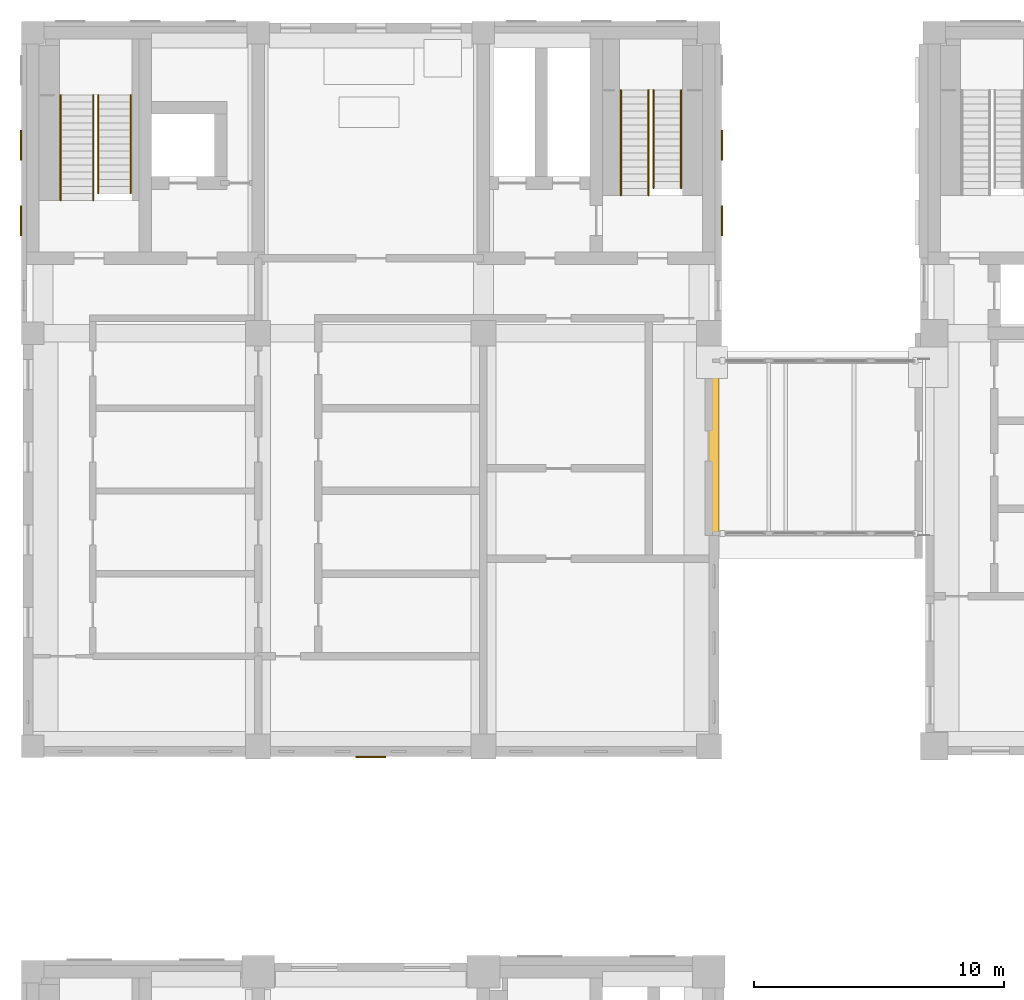
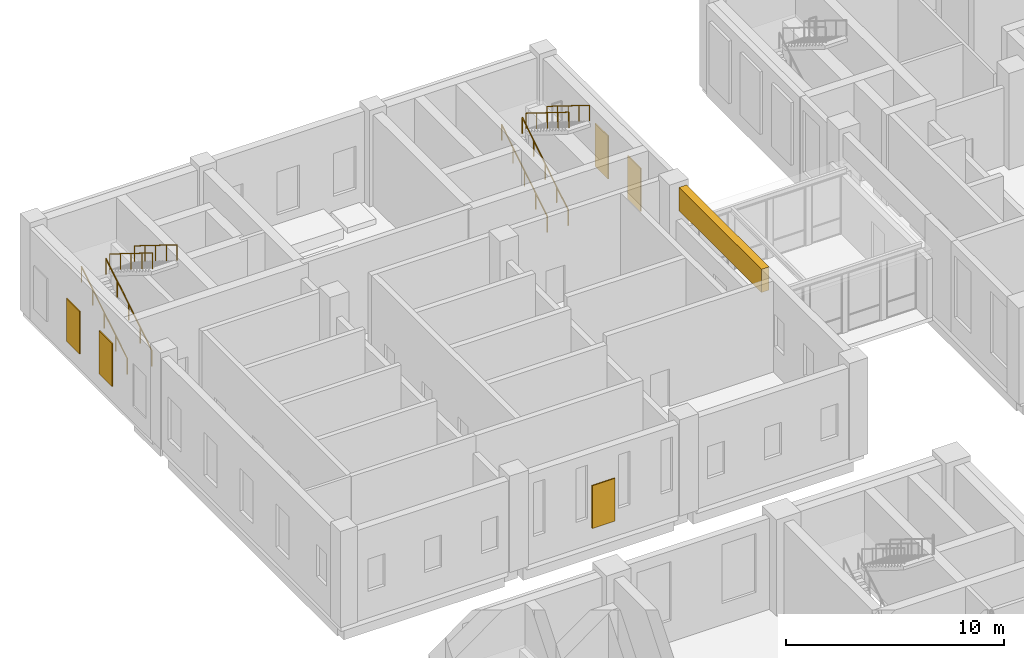
# One storey, part 45 of 52: 8 railings, 6 coverings.
"""IFC4 building model written with IfcOpenShell, lengths in metres."""

from ifc_helpers import new_model, si_unit, direction, frame, origin, origin_2d, place, context, subcontext, project, spatial, rectangle, circle, extrude, material, layer, layer_set, type_object, element, save


model = new_model("IFC4")

# Units and contexts
model_context = context("Model", 3, precision=1e-05, world=origin(), true_north=direction((0.0, 1.0)))
body_context = subcontext(model_context, "Body", "Model", "MODEL_VIEW")
ifc_project = project(units=[si_unit("LENGTHUNIT", "METRE"), si_unit("AREAUNIT", "SQUARE_METRE"), si_unit("VOLUMEUNIT", "CUBIC_METRE"), si_unit("PLANEANGLEUNIT", "RADIAN"), si_unit("MASSUNIT", "GRAM", prefix="KILO")], contexts=[model_context])

# Site, building, storey
site_placement = place(None, origin())
site = spatial("IfcSite", under=ifc_project, at=site_placement, CompositionType="ELEMENT")
building_placement = place(site_placement, origin())
building = spatial("IfcBuilding", under=site, at=building_placement, Name="Aurelan Courthouse", CompositionType="ELEMENT")
storey_placement = place(building_placement, frame((0.0, 0.0, 6.60009765625)))
storey = spatial("IfcBuildingStorey", under=building, at=storey_placement, Name="L01", CompositionType="ELEMENT", Elevation=6.60009765625)

# Coverings
ifc_material_1 = material(Name="Bronze sheet cladding")
ifc_layer_1 = layer(ifc_material_1, 0.06005859375)
ifc_layer_set_1 = layer_set([ifc_layer_1], Name="Bronze sheet cladding")
covering_type_1 = type_object("IfcCoveringType", Name="Custody Suite blind bay 1200 x 2400", PredefinedType="CLADDING", material=ifc_layer_set_1)
covering_1_placement = place(storey_placement, frame((13.5, 37.070068359375, 0.89990234375), z_axis=(0.0, 0.0, 1.0), x_axis=(1.0, 0.0, 0.0)))
element("IfcCovering", 1, at=covering_1_placement, inside=storey, type_object=covering_type_1, Name="Blind bay BB-V6-L01-001", PredefinedType="CLADDING", context=body_context, shape_type="SweptSolid", body=[
    extrude(rectangle(XDim=1.199951171875, YDim=0.06005859375, at=origin_2d()), origin(), (0.0, 0.0, 1.0), 2.39990234375),
])
for number, where, z_axis, x_axis, name in (
    (2, (27.530029296875, 58.5, 0.89990234375), (0.0, 0.0, 1.0), (1.0, 0.0, 0.0), "Blind bay BB-V6-L01-008"),
    (3, (27.530029296875, 61.5, 0.89990234375), (0.0, 0.0, 1.0), (1.0, 0.0, 0.0), "Blind bay BB-V6-L01-009"),
    (4, (-0.47998046875, 58.5, 0.89990234375), (0.0, 0.0, 1.0), (1.0, 0.0, 0.0), "Blind bay BB-V6-L01-011"),
    (5, (-0.47998046875, 61.5, 0.89990234375), (0.0, 0.0, 1.0), (1.0, 0.0, 0.0), "Blind bay BB-V6-L01-012"),
):
    element("IfcCovering", number, at=place(storey_placement, frame(where, z_axis=z_axis, x_axis=x_axis)), inside=storey, type_object=covering_type_1, Name=name, PredefinedType="CLADDING", context=body_context, shape_type="SweptSolid", body=[
        extrude(rectangle(XDim=0.06005859375, YDim=1.199951171875, at=origin_2d()), origin(), (0.0, 0.0, 1.0), 2.39990234375),
    ])
ifc_material_2 = material(Name="Granite cladding", Category="masonry")
ifc_layer_2 = layer(ifc_material_2, 0.39990234375)
ifc_layer_set_2 = layer_set([ifc_layer_2], Name="Granite cladding")
covering_type_2 = type_object("IfcCoveringType", Name="Granite infill panel 400", PredefinedType="CLADDING", material=ifc_layer_set_2)
covering_2_placement = place(storey_placement, frame((27.199951171875, 49.71240234375, 3.7998046875), z_axis=(0.0, 0.0, 1.0), x_axis=(1.0, 0.0, 0.0)))
element("IfcCovering", 6, at=covering_2_placement, inside=storey, type_object=covering_type_2, Name="Facade infill panel FI-V6-L01-001", PredefinedType="CLADDING", context=body_context, shape_type="SweptSolid", body=[
    extrude(rectangle(XDim=0.39990234375, YDim=7.574951171875, at=origin_2d()), origin(), (0.0, 0.0, 1.0), 1.300048828125),
])

# Railings
ifc_material_3 = material(Name="Steel S355", Category="steel")
railing_type = type_object("IfcRailingType", Name="Stair handrail 900", PredefinedType="HANDRAIL", material=ifc_material_3)
for number, where, name in (
    (7, (23.489990234375, 59.510009765625, 0.174072265625), "Handrail CS-6-L01-H1"),
    (8, (24.590087890625, 59.510009765625, 0.174072265625), "Handrail CS-6-L01-H2"),
):
    element("IfcRailing", number, at=place(storey_placement, frame(where)), inside=storey, type_object=railing_type, Name=name, PredefinedType="HANDRAIL", context=body_context, shape_type="SweptSolid", body=[
        extrude(circle(Radius=0.02392578125, at=origin_2d()), frame((0.0, 0.0, 0.8759765625), z_axis=(0.0, 0.849080710111, 0.528263142494), x_axis=(-1.0, 0.0, 0.0)), (0.0, 0.0, 1.0), 4.946533203125),
        extrude(circle(Radius=0.02099609375, at=origin_2d()), origin(), (0.0, 0.0, 1.0), 0.851806640625),
        extrude(circle(Radius=0.02099609375, at=origin_2d()), frame((0.0, 1.050048828125, 0.6533203125)), (0.0, 0.0, 1.0), 0.851806640625),
        extrude(circle(Radius=0.02099609375, at=origin_2d()), frame((0.0, 2.10009765625, 1.306640625)), (0.0, 0.0, 1.0), 0.851806640625),
        extrude(circle(Radius=0.02099609375, at=origin_2d()), frame((0.0, 3.14990234375, 1.959716796875)), (0.0, 0.0, 1.0), 0.851806640625),
        extrude(circle(Radius=0.02099609375, at=origin_2d()), frame((0.0, 4.199951171875, 2.613037109375)), (0.0, 0.0, 1.0), 0.851806640625),
    ])
for number, where, name in (
    (9, (24.7900390625, 63.7099609375, 2.961181640625), "Handrail CS-6-L01-H3"),
    (10, (25.889892578125, 63.7099609375, 2.961181640625), "Handrail CS-6-L01-H4"),
):
    element("IfcRailing", number, at=place(storey_placement, frame(where)), inside=storey, type_object=railing_type, Name=name, PredefinedType="HANDRAIL", context=body_context, shape_type="SweptSolid", body=[
        extrude(circle(Radius=0.02392578125, at=origin_2d()), frame((0.0, 0.0, 0.8759765625), z_axis=(0.0, -0.849089811655, 0.528248513243), x_axis=(1.0, 0.0, 0.0)), (0.0, 0.0, 1.0), 4.61669921875),
        extrude(circle(Radius=0.02099609375, at=origin_2d()), origin(), (0.0, 0.0, 1.0), 0.851806640625),
        extrude(circle(Radius=0.02099609375, at=origin_2d()), frame((0.0, -0.97998046875, 0.609619140625)), (0.0, 0.0, 1.0), 0.851806640625),
        extrude(circle(Radius=0.02099609375, at=origin_2d()), frame((0.0, -1.9599609375, 1.21923828125)), (0.0, 0.0, 1.0), 0.851806640625),
        extrude(circle(Radius=0.02099609375, at=origin_2d()), frame((0.0, -2.93994140625, 1.8291015625)), (0.0, 0.0, 1.0), 0.851806640625),
        extrude(circle(Radius=0.02099609375, at=origin_2d()), frame((0.0, -3.919921875, 2.438720703125)), (0.0, 0.0, 1.0), 0.851806640625),
    ])
for number, where, name in (
    (11, (1.110107421875, 59.31005859375, 0.174072265625), "Handrail ST-6-L01-H1"),
    (12, (2.409912109375, 59.31005859375, 0.174072265625), "Handrail ST-6-L01-H2"),
):
    element("IfcRailing", number, at=place(storey_placement, frame(where)), inside=storey, type_object=railing_type, Name=name, PredefinedType="HANDRAIL", context=body_context, shape_type="SweptSolid", body=[
        extrude(circle(Radius=0.02392578125, at=origin_2d()), frame((0.0, 0.0, 0.8759765625), z_axis=(0.0, 0.849080710111, 0.528263142494), x_axis=(-1.0, 0.0, 0.0)), (0.0, 0.0, 1.0), 4.946533203125),
        extrude(circle(Radius=0.02099609375, at=origin_2d()), origin(), (0.0, 0.0, 1.0), 0.851806640625),
        extrude(circle(Radius=0.02099609375, at=origin_2d()), frame((0.0, 1.050048828125, 0.6533203125)), (0.0, 0.0, 1.0), 0.851806640625),
        extrude(circle(Radius=0.02099609375, at=origin_2d()), frame((0.0, 2.10009765625, 1.306640625)), (0.0, 0.0, 1.0), 0.851806640625),
        extrude(circle(Radius=0.02099609375, at=origin_2d()), frame((0.0, 3.14990234375, 1.959716796875)), (0.0, 0.0, 1.0), 0.851806640625),
        extrude(circle(Radius=0.02099609375, at=origin_2d()), frame((0.0, 4.199951171875, 2.613037109375)), (0.0, 0.0, 1.0), 0.851806640625),
    ])
for number, where, name in (
    (13, (2.610107421875, 63.510009765625, 2.961181640625), "Handrail ST-6-L01-H3"),
    (14, (3.909912109375, 63.510009765625, 2.961181640625), "Handrail ST-6-L01-H4"),
):
    element("IfcRailing", number, at=place(storey_placement, frame(where)), inside=storey, type_object=railing_type, Name=name, PredefinedType="HANDRAIL", context=body_context, shape_type="SweptSolid", body=[
        extrude(circle(Radius=0.02392578125, at=origin_2d()), frame((0.0, 0.0, 0.8759765625), z_axis=(0.0, -0.849089811655, 0.528248513243), x_axis=(1.0, 0.0, 0.0)), (0.0, 0.0, 1.0), 4.61669921875),
        extrude(circle(Radius=0.02099609375, at=origin_2d()), origin(), (0.0, 0.0, 1.0), 0.851806640625),
        extrude(circle(Radius=0.02099609375, at=origin_2d()), frame((0.0, -0.97998046875, 0.609619140625)), (0.0, 0.0, 1.0), 0.851806640625),
        extrude(circle(Radius=0.02099609375, at=origin_2d()), frame((0.0, -1.9599609375, 1.21923828125)), (0.0, 0.0, 1.0), 0.851806640625),
        extrude(circle(Radius=0.02099609375, at=origin_2d()), frame((0.0, -2.93994140625, 1.8291015625)), (0.0, 0.0, 1.0), 0.851806640625),
        extrude(circle(Radius=0.02099609375, at=origin_2d()), frame((0.0, -3.919921875, 2.438720703125)), (0.0, 0.0, 1.0), 0.851806640625),
    ])

save(model, "model.ifc")
